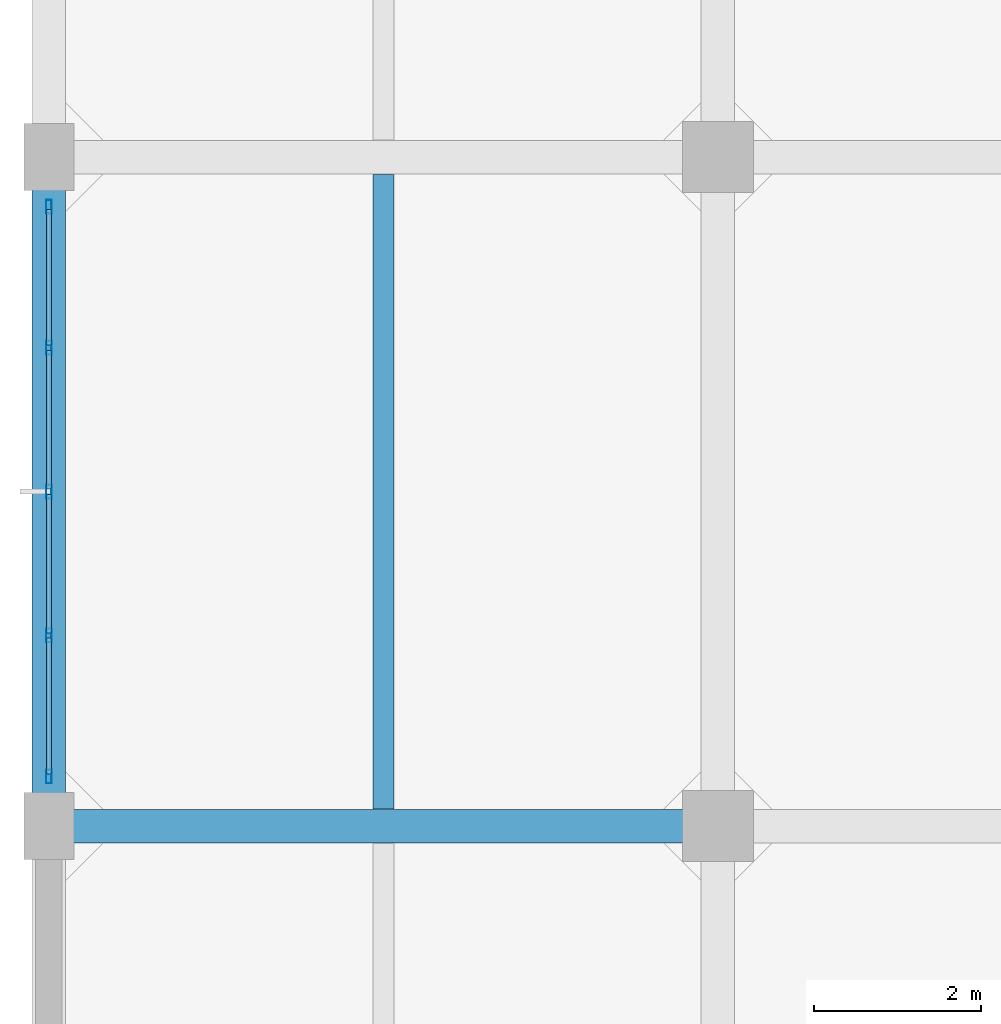
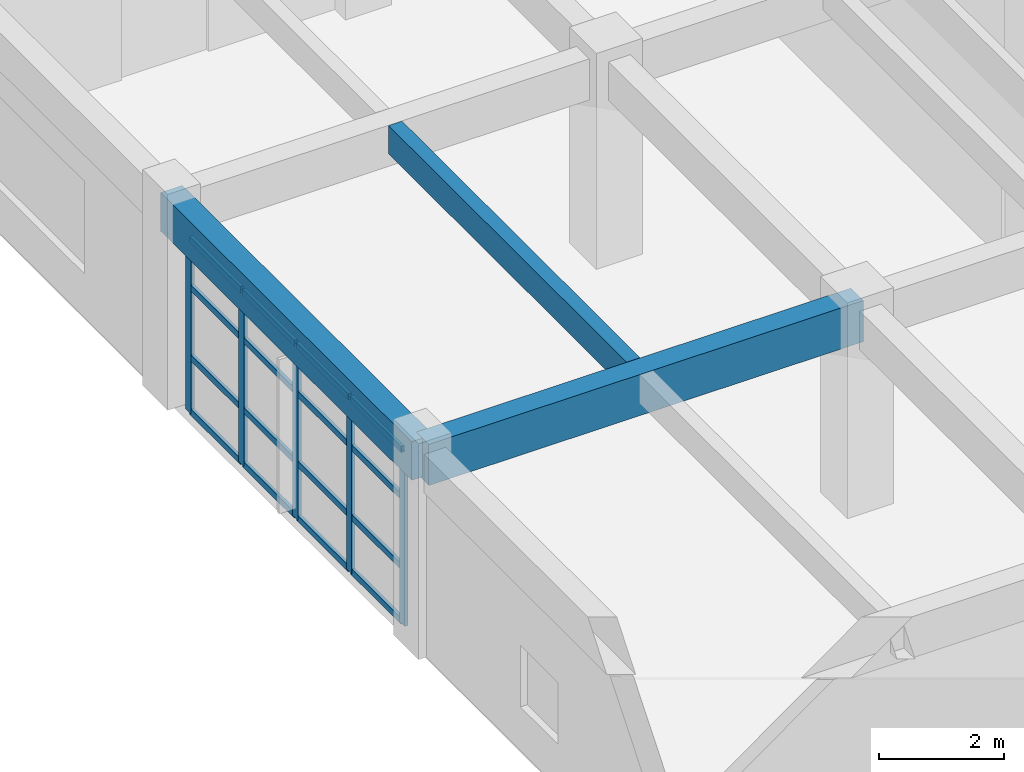
# One storey, part 8 of 30: 21 members, 3 beams, 1 element without a shape of its own.
"""IFC4 building model written with IfcOpenShell, lengths in metres."""

from ifc_helpers import new_model, si_unit, direction, frame, origin, origin_2d, place, context, subcontext, project, spatial, rectangle, hollow_rectangle, extrude, material, layer, layer_set, material_profile, profile_set, type_object, element, aggregate, save


model = new_model("IFC4")

# Units and contexts
model_context = context("Model", 3, precision=1e-05, world=origin(), true_north=direction((0.0, 1.0)))
body_context = subcontext(model_context, "Body", "Model", "MODEL_VIEW")
ifc_project = project(units=[si_unit("LENGTHUNIT", "METRE"), si_unit("AREAUNIT", "SQUARE_METRE"), si_unit("VOLUMEUNIT", "CUBIC_METRE"), si_unit("PLANEANGLEUNIT", "RADIAN"), si_unit("MASSUNIT", "GRAM", prefix="KILO")], contexts=[model_context])

# Site, building, storey
site_placement = place(None, origin())
site = spatial("IfcSite", under=ifc_project, at=site_placement, CompositionType="ELEMENT")
building_placement = place(site_placement, origin())
building = spatial("IfcBuilding", under=site, at=building_placement, Name="Canggui Botanical Conservatory", CompositionType="ELEMENT")
storey_placement = place(building_placement, frame((0.0, 0.0, 19.199951171875)))
storey = spatial("IfcBuildingStorey", under=building, at=storey_placement, Name="L05", CompositionType="ELEMENT", Elevation=19.199951171875)

# Beams
ifc_material_1 = material(Name="Concrete C35", Category="concrete")
ifc_material_profile_1 = material_profile(ifc_material_1, rectangle(XDim=0.25, YDim=0.550048828125, at=origin_2d()), Name="RB 250x550")
ifc_profile_set_1 = profile_set([ifc_material_profile_1], Name="Concrete C35")
beam_type_1 = type_object("IfcBeamType", Name="BM-JST03", PredefinedType="JOIST", material=ifc_profile_set_1)
beam_1_placement = place(storey_placement, frame((142.0, 50.205078125, 3.68505859375), z_axis=(0.0, 1.0, 0.0), x_axis=(-1.0, 0.0, 0.0)))
element("IfcBeam", 1, at=beam_1_placement, inside=storey, type_object=beam_type_1, Name="Secondary Floor Joist L05-1-4", PredefinedType="JOIST", context=body_context, shape_type="SweptSolid", body=[
    extrude(rectangle(XDim=0.25, YDim=0.550048828125, at=origin_2d()), origin(), (0.0, 0.0, 1.0), 7.58984375),
])
ifc_material_profile_2 = material_profile(ifc_material_1, rectangle(XDim=0.39990234375, YDim=0.800048828125, at=origin_2d()), Name="RB 400x800")
ifc_profile_set_2 = profile_set([ifc_material_profile_2], Name="Concrete C35")
beam_type_2 = type_object("IfcBeamType", Name="BM-KL09", PredefinedType="BEAM", material=ifc_profile_set_2)
beam_2_placement = place(storey_placement, frame((138.0, 50.0, 3.56005859375), z_axis=(1.0, 0.0, 0.0), x_axis=(0.0, 1.0, 0.0)))
element("IfcBeam", 2, at=beam_2_placement, inside=storey, type_object=beam_type_2, Name="Frame Girder L05 Y50-1", PredefinedType="BEAM", context=body_context, shape_type="SweptSolid", body=[
    extrude(rectangle(XDim=0.39990234375, YDim=0.800048828125, at=origin_2d()), origin(), (0.0, 0.0, 1.0), 8.0),
])
ifc_material_profile_3 = material_profile(ifc_material_1, rectangle(XDim=0.39990234375, YDim=0.75, at=origin_2d()), Name="RB 400x750")
ifc_profile_set_3 = profile_set([ifc_material_profile_3], Name="Concrete C35")
beam_type_3 = type_object("IfcBeamType", Name="BM-KL10", PredefinedType="BEAM", material=ifc_profile_set_3)
beam_3_placement = place(storey_placement, frame((138.0, 50.0, 3.5849609375), z_axis=(0.0, 1.0, 0.0), x_axis=(-1.0, 0.0, 0.0)))
element("IfcBeam", 3, at=beam_3_placement, inside=storey, type_object=beam_type_3, Name="Frame Girder L05 X138-4", PredefinedType="BEAM", context=body_context, shape_type="SweptSolid", body=[
    extrude(rectangle(XDim=0.39990234375, YDim=0.75, at=origin_2d()), origin(), (0.0, 0.0, 1.0), 8.0),
])

# Curtain wall, members
ifc_material_2 = material(Name="Thermally Broken Aluminium", Category="aluminium")
ifc_layer = layer(ifc_material_2, 0.1650390625, Name="Thermally Broken Aluminium", Category="aluminium")
ifc_layer_set = layer_set([ifc_layer], Name="Thermally Broken Aluminium")
curtain_wall_type = type_object("IfcCurtainWallType", Name="CW-UNIT-B", PredefinedType="USERDEFINED", material=ifc_layer_set)
curtain_wall_placement = place(storey_placement, origin())
curtain_wall = element("IfcCurtainWall", 4, at=curtain_wall_placement, inside=storey, type_object=curtain_wall_type, Name="Facade Curtain Wall CW-TWR-L05-09", ObjectType="UNITISED CURTAIN WALL", PredefinedType="USERDEFINED")
ifc_material_profile_4 = material_profile(ifc_material_2, hollow_rectangle(XDim=0.06494140625, YDim=0.1650390625, WallThickness=0.00390625, at=origin_2d()), Name="CWM 65x165x4")
ifc_profile_set_4 = profile_set([ifc_material_profile_4], Name="Thermally Broken Aluminium")
member_type_1 = type_object("IfcMemberType", Name="CWM-02", PredefinedType="MULLION", material=ifc_profile_set_4)
member_1_placement = place(storey_placement, frame((138.0, 50.592529296875, 0.0), z_axis=(0.0, 0.0, 1.0), x_axis=(-1.0, 0.0, 0.0)))
member_1 = element("IfcMember", 5, at=member_1_placement, type_object=member_type_1, Name="CW-02 mullion 1", PredefinedType="MULLION", context=body_context, shape_type="SweptSolid", body=[
    extrude(hollow_rectangle(XDim=0.06494140625, YDim=0.1650390625, WallThickness=0.00390625, at=origin_2d()), origin(), (0.0, 0.0, 1.0), 3.400146484375),
])
member_2_placement = place(storey_placement, frame((138.0, 52.280029296875, 0.0), z_axis=(0.0, 0.0, 1.0), x_axis=(-1.0, 0.0, 0.0)))
member_2 = element("IfcMember", 6, at=member_2_placement, type_object=member_type_1, Name="CW-02 mullion 2", PredefinedType="MULLION", context=body_context, shape_type="SweptSolid", body=[
    extrude(hollow_rectangle(XDim=0.06494140625, YDim=0.1650390625, WallThickness=0.00390625, at=origin_2d()), origin(), (0.0, 0.0, 1.0), 3.400146484375),
])
member_3_placement = place(storey_placement, frame((138.0, 54.0, 0.0), z_axis=(0.0, 0.0, 1.0), x_axis=(-1.0, 0.0, 0.0)))
member_3 = element("IfcMember", 7, at=member_3_placement, type_object=member_type_1, Name="CW-02 mullion 3", PredefinedType="MULLION", context=body_context, shape_type="SweptSolid", body=[
    extrude(hollow_rectangle(XDim=0.06494140625, YDim=0.1650390625, WallThickness=0.00390625, at=origin_2d()), origin(), (0.0, 0.0, 1.0), 3.400146484375),
])
member_4_placement = place(storey_placement, frame((138.0, 55.719970703125, 0.0), z_axis=(0.0, 0.0, 1.0), x_axis=(-1.0, 0.0, 0.0)))
member_4 = element("IfcMember", 8, at=member_4_placement, type_object=member_type_1, Name="CW-02 mullion 4", PredefinedType="MULLION", context=body_context, shape_type="SweptSolid", body=[
    extrude(hollow_rectangle(XDim=0.06494140625, YDim=0.1650390625, WallThickness=0.00390625, at=origin_2d()), origin(), (0.0, 0.0, 1.0), 3.400146484375),
])
member_5_placement = place(storey_placement, frame((138.0, 57.407470703125, 0.0), z_axis=(0.0, 0.0, 1.0), x_axis=(-1.0, 0.0, 0.0)))
member_5 = element("IfcMember", 9, at=member_5_placement, type_object=member_type_1, Name="CW-02 mullion 5", PredefinedType="MULLION", context=body_context, shape_type="SweptSolid", body=[
    extrude(hollow_rectangle(XDim=0.06494140625, YDim=0.1650390625, WallThickness=0.00390625, at=origin_2d()), origin(), (0.0, 0.0, 1.0), 3.400146484375),
])
ifc_material_profile_5 = material_profile(ifc_material_2, hollow_rectangle(XDim=0.06005859375, YDim=0.1201171875, WallThickness=0.00341796875, at=origin_2d()), Name="CWT 60x120x3.5")
ifc_profile_set_5 = profile_set([ifc_material_profile_5], Name="Thermally Broken Aluminium")
member_type_2 = type_object("IfcMemberType", Name="CWT-02", PredefinedType="USERDEFINED", material=ifc_profile_set_5)
member_6_placement = place(storey_placement, frame((138.0, 50.625, 0.030029296875), z_axis=(0.0, 1.0, 0.0), x_axis=(-1.0, 0.0, 0.0)))
member_6 = element("IfcMember", 10, at=member_6_placement, type_object=member_type_2, Name="CW-02 transom 1.1", ObjectType="TRANSOM", PredefinedType="USERDEFINED", context=body_context, shape_type="SweptSolid", body=[
    extrude(hollow_rectangle(XDim=0.06005859375, YDim=0.1201171875, WallThickness=0.00341796875, at=origin_2d()), origin(), (0.0, 0.0, 1.0), 1.62255859375),
])
member_7_placement = place(storey_placement, frame((138.0, 50.625, 1.088134765625), z_axis=(0.0, 1.0, 0.0), x_axis=(-1.0, 0.0, 0.0)))
member_7 = element("IfcMember", 11, at=member_7_placement, type_object=member_type_2, Name="CW-02 transom 1.2", ObjectType="TRANSOM", PredefinedType="USERDEFINED", context=body_context, shape_type="SweptSolid", body=[
    extrude(hollow_rectangle(XDim=0.06005859375, YDim=0.1201171875, WallThickness=0.00341796875, at=origin_2d()), origin(), (0.0, 0.0, 1.0), 1.62255859375),
])
member_8_placement = place(storey_placement, frame((138.0, 50.625, 2.447998046875), z_axis=(0.0, 1.0, 0.0), x_axis=(-1.0, 0.0, 0.0)))
member_8 = element("IfcMember", 12, at=member_8_placement, type_object=member_type_2, Name="CW-02 transom 1.3", ObjectType="TRANSOM", PredefinedType="USERDEFINED", context=body_context, shape_type="SweptSolid", body=[
    extrude(hollow_rectangle(XDim=0.06005859375, YDim=0.1201171875, WallThickness=0.00341796875, at=origin_2d()), origin(), (0.0, 0.0, 1.0), 1.62255859375),
])
member_9_placement = place(storey_placement, frame((138.0, 50.625, 3.3701171875), z_axis=(0.0, 1.0, 0.0), x_axis=(-1.0, 0.0, 0.0)))
member_9 = element("IfcMember", 13, at=member_9_placement, type_object=member_type_2, Name="CW-02 transom 1.4", ObjectType="TRANSOM", PredefinedType="USERDEFINED", context=body_context, shape_type="SweptSolid", body=[
    extrude(hollow_rectangle(XDim=0.06005859375, YDim=0.1201171875, WallThickness=0.00341796875, at=origin_2d()), origin(), (0.0, 0.0, 1.0), 1.62255859375),
])
member_10_placement = place(storey_placement, frame((138.0, 52.3125, 0.030029296875), z_axis=(0.0, 1.0, 0.0), x_axis=(-1.0, 0.0, 0.0)))
member_10 = element("IfcMember", 14, at=member_10_placement, type_object=member_type_2, Name="CW-02 transom 2.1", ObjectType="TRANSOM", PredefinedType="USERDEFINED", context=body_context, shape_type="SweptSolid", body=[
    extrude(hollow_rectangle(XDim=0.06005859375, YDim=0.1201171875, WallThickness=0.00341796875, at=origin_2d()), origin(), (0.0, 0.0, 1.0), 1.655029296875),
])
member_11_placement = place(storey_placement, frame((138.0, 52.3125, 1.088134765625), z_axis=(0.0, 1.0, 0.0), x_axis=(-1.0, 0.0, 0.0)))
member_11 = element("IfcMember", 15, at=member_11_placement, type_object=member_type_2, Name="CW-02 transom 2.2", ObjectType="TRANSOM", PredefinedType="USERDEFINED", context=body_context, shape_type="SweptSolid", body=[
    extrude(hollow_rectangle(XDim=0.06005859375, YDim=0.1201171875, WallThickness=0.00341796875, at=origin_2d()), origin(), (0.0, 0.0, 1.0), 1.655029296875),
])
member_12_placement = place(storey_placement, frame((138.0, 52.3125, 2.447998046875), z_axis=(0.0, 1.0, 0.0), x_axis=(-1.0, 0.0, 0.0)))
member_12 = element("IfcMember", 16, at=member_12_placement, type_object=member_type_2, Name="CW-02 transom 2.3", ObjectType="TRANSOM", PredefinedType="USERDEFINED", context=body_context, shape_type="SweptSolid", body=[
    extrude(hollow_rectangle(XDim=0.06005859375, YDim=0.1201171875, WallThickness=0.00341796875, at=origin_2d()), origin(), (0.0, 0.0, 1.0), 1.655029296875),
])
member_13_placement = place(storey_placement, frame((138.0, 52.3125, 3.3701171875), z_axis=(0.0, 1.0, 0.0), x_axis=(-1.0, 0.0, 0.0)))
member_13 = element("IfcMember", 17, at=member_13_placement, type_object=member_type_2, Name="CW-02 transom 2.4", ObjectType="TRANSOM", PredefinedType="USERDEFINED", context=body_context, shape_type="SweptSolid", body=[
    extrude(hollow_rectangle(XDim=0.06005859375, YDim=0.1201171875, WallThickness=0.00341796875, at=origin_2d()), origin(), (0.0, 0.0, 1.0), 1.655029296875),
])
member_14_placement = place(storey_placement, frame((138.0, 54.032470703125, 0.030029296875), z_axis=(0.0, 1.0, 0.0), x_axis=(-1.0, 0.0, 0.0)))
member_14 = element("IfcMember", 18, at=member_14_placement, type_object=member_type_2, Name="CW-02 transom 3.1", ObjectType="TRANSOM", PredefinedType="USERDEFINED", context=body_context, shape_type="SweptSolid", body=[
    extrude(hollow_rectangle(XDim=0.06005859375, YDim=0.1201171875, WallThickness=0.00341796875, at=origin_2d()), origin(), (0.0, 0.0, 1.0), 1.655029296875),
])
member_15_placement = place(storey_placement, frame((138.0, 54.032470703125, 1.088134765625), z_axis=(0.0, 1.0, 0.0), x_axis=(-1.0, 0.0, 0.0)))
member_15 = element("IfcMember", 19, at=member_15_placement, type_object=member_type_2, Name="CW-02 transom 3.2", ObjectType="TRANSOM", PredefinedType="USERDEFINED", context=body_context, shape_type="SweptSolid", body=[
    extrude(hollow_rectangle(XDim=0.06005859375, YDim=0.1201171875, WallThickness=0.00341796875, at=origin_2d()), origin(), (0.0, 0.0, 1.0), 1.655029296875),
])
member_16_placement = place(storey_placement, frame((138.0, 54.032470703125, 2.447998046875), z_axis=(0.0, 1.0, 0.0), x_axis=(-1.0, 0.0, 0.0)))
member_16 = element("IfcMember", 20, at=member_16_placement, type_object=member_type_2, Name="CW-02 transom 3.3", ObjectType="TRANSOM", PredefinedType="USERDEFINED", context=body_context, shape_type="SweptSolid", body=[
    extrude(hollow_rectangle(XDim=0.06005859375, YDim=0.1201171875, WallThickness=0.00341796875, at=origin_2d()), origin(), (0.0, 0.0, 1.0), 1.655029296875),
])
member_17_placement = place(storey_placement, frame((138.0, 54.032470703125, 3.3701171875), z_axis=(0.0, 1.0, 0.0), x_axis=(-1.0, 0.0, 0.0)))
member_17 = element("IfcMember", 21, at=member_17_placement, type_object=member_type_2, Name="CW-02 transom 3.4", ObjectType="TRANSOM", PredefinedType="USERDEFINED", context=body_context, shape_type="SweptSolid", body=[
    extrude(hollow_rectangle(XDim=0.06005859375, YDim=0.1201171875, WallThickness=0.00341796875, at=origin_2d()), origin(), (0.0, 0.0, 1.0), 1.655029296875),
])
member_18_placement = place(storey_placement, frame((138.0, 55.75244140625, 0.030029296875), z_axis=(0.0, 1.0, 0.0), x_axis=(-1.0, 0.0, 0.0)))
member_18 = element("IfcMember", 22, at=member_18_placement, type_object=member_type_2, Name="CW-02 transom 4.1", ObjectType="TRANSOM", PredefinedType="USERDEFINED", context=body_context, shape_type="SweptSolid", body=[
    extrude(hollow_rectangle(XDim=0.06005859375, YDim=0.1201171875, WallThickness=0.00341796875, at=origin_2d()), origin(), (0.0, 0.0, 1.0), 1.62255859375),
])
member_19_placement = place(storey_placement, frame((138.0, 55.75244140625, 1.088134765625), z_axis=(0.0, 1.0, 0.0), x_axis=(-1.0, 0.0, 0.0)))
member_19 = element("IfcMember", 23, at=member_19_placement, type_object=member_type_2, Name="CW-02 transom 4.2", ObjectType="TRANSOM", PredefinedType="USERDEFINED", context=body_context, shape_type="SweptSolid", body=[
    extrude(hollow_rectangle(XDim=0.06005859375, YDim=0.1201171875, WallThickness=0.00341796875, at=origin_2d()), origin(), (0.0, 0.0, 1.0), 1.62255859375),
])
member_20_placement = place(storey_placement, frame((138.0, 55.75244140625, 2.447998046875), z_axis=(0.0, 1.0, 0.0), x_axis=(-1.0, 0.0, 0.0)))
member_20 = element("IfcMember", 24, at=member_20_placement, type_object=member_type_2, Name="CW-02 transom 4.3", ObjectType="TRANSOM", PredefinedType="USERDEFINED", context=body_context, shape_type="SweptSolid", body=[
    extrude(hollow_rectangle(XDim=0.06005859375, YDim=0.1201171875, WallThickness=0.00341796875, at=origin_2d()), origin(), (0.0, 0.0, 1.0), 1.62255859375),
])
member_21_placement = place(storey_placement, frame((138.0, 55.75244140625, 3.3701171875), z_axis=(0.0, 1.0, 0.0), x_axis=(-1.0, 0.0, 0.0)))
member_21 = element("IfcMember", 25, at=member_21_placement, type_object=member_type_2, Name="CW-02 transom 4.4", ObjectType="TRANSOM", PredefinedType="USERDEFINED", context=body_context, shape_type="SweptSolid", body=[
    extrude(hollow_rectangle(XDim=0.06005859375, YDim=0.1201171875, WallThickness=0.00341796875, at=origin_2d()), origin(), (0.0, 0.0, 1.0), 1.62255859375),
])
aggregate(curtain_wall, [member_1, member_2, member_3, member_4, member_5, member_6, member_7, member_8, member_9, member_10, member_11, member_12, member_13, member_14, member_15, member_16, member_17, member_18, member_19, member_20, member_21])

save(model, "model.ifc")
